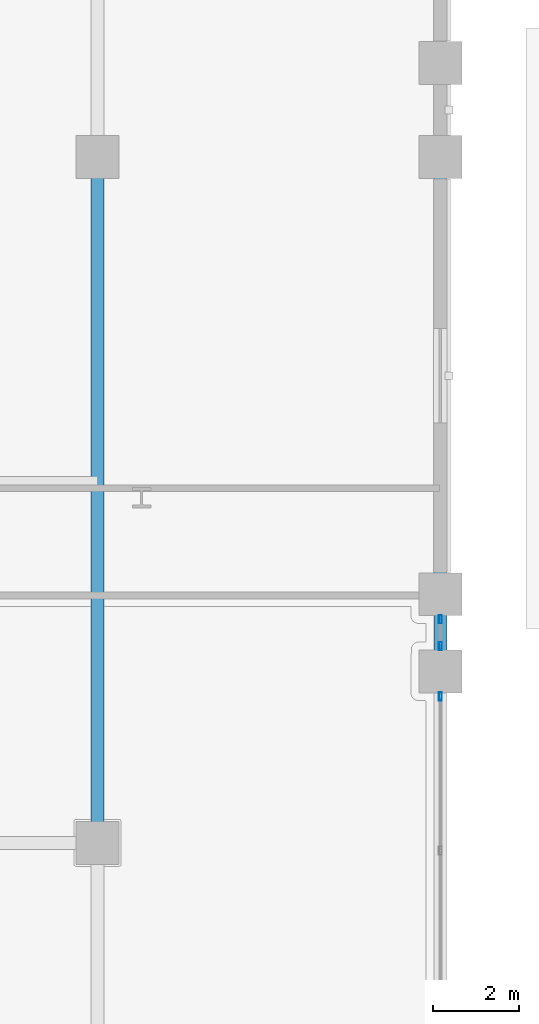
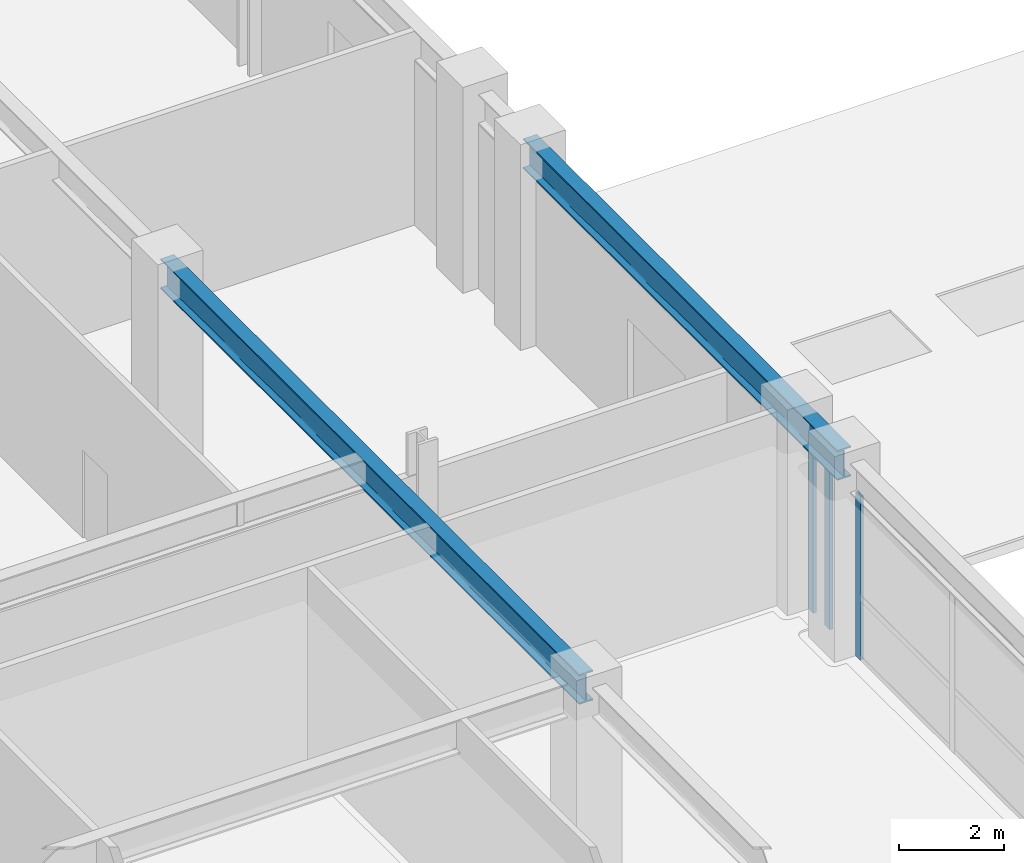
# One storey, part 8 of 34: 3 members, 2 beams, 2 elements without a shape of their own.
"""IFC4 building model written with IfcOpenShell, lengths in metres."""

from ifc_helpers import new_model, si_unit, derived_unit, direction, frame, origin, origin_2d, place, context, subcontext, project, spatial, hollow_rectangle, i_section, extrude, source, transform, mapped, material, layer, layer_set, material_profile, profile_set, type_object, element, aggregate, save


model = new_model("IFC4")

# Units and contexts
model_context = context("Model", 3, precision=1e-05, world=origin(), true_north=direction((0.0, 1.0)))
body_context = subcontext(model_context, "Body", "Model", "MODEL_VIEW")
ifc_project = project(units=[si_unit("LENGTHUNIT", "METRE"), si_unit("AREAUNIT", "SQUARE_METRE"), si_unit("VOLUMEUNIT", "CUBIC_METRE"), si_unit("PLANEANGLEUNIT", "RADIAN"), si_unit("MASSUNIT", "GRAM", prefix="KILO"), derived_unit("THERMALTRANSMITTANCEUNIT", [(si_unit("POWERUNIT", "WATT"), 1), (si_unit("LENGTHUNIT", "METRE"), -2), (si_unit("THERMODYNAMICTEMPERATUREUNIT", "KELVIN"), -1)])], contexts=[model_context])

# Site, building, storey
site_placement = place(None, origin())
site = spatial("IfcSite", under=ifc_project, at=site_placement, CompositionType="ELEMENT")
building_placement = place(site_placement, origin())
building = spatial("IfcBuilding", under=site, at=building_placement, Name="Korsvarv Bourse and Concert Hall", CompositionType="ELEMENT")
storey_placement = place(building_placement, frame((0.0, 0.0, 14.39990234375)))
storey = spatial("IfcBuildingStorey", under=building, at=storey_placement, Name="L03", CompositionType="ELEMENT", Elevation=14.39990234375)

# Beams
ifc_material_1 = material(Name="Steel S355", Category="steel")
ifc_material_profile_1 = material_profile(ifc_material_1, i_section(OverallWidth=0.300048828125, OverallDepth=0.699951171875, WebThickness=0.01708984375, FlangeThickness=0.031982421875, FilletRadius=0.027099609375, at=origin_2d()), Name="HEB 700")
ifc_profile_set_1 = profile_set([ifc_material_profile_1], Name="Steel S355")
beam_type = type_object("IfcBeamType", Name="BM-HEB700", PredefinedType="BEAM", material=ifc_profile_set_1)
shared_shape_1 = source(origin(), body_context, "Body", "SweptSolid", [
    extrude(i_section(OverallWidth=0.300048828125, OverallDepth=0.699951171875, WebThickness=0.01708984375, FlangeThickness=0.031982421875, FilletRadius=0.027099609375, at=origin_2d()), origin(), (0.0, 0.0, 1.0), 12.0),
])
beam_1_placement = place(storey_placement, frame((66.0, 28.0, 4.170166015625), z_axis=(0.0, 1.0, 0.0), x_axis=(-1.0, 0.0, 0.0)))
element("IfcBeam", 1, at=beam_1_placement, inside=storey, type_object=beam_type, Name="L03 beam B-03", PredefinedType="BEAM", context=body_context, shape_type="MappedRepresentation", body=[
    mapped(shared_shape_1, transform((0.0, 0.0, 0.0), scale=1.0)),
])
shared_shape_2 = source(origin(), body_context, "Body", "SweptSolid", [
    extrude(i_section(OverallWidth=0.300048828125, OverallDepth=0.699951171875, WebThickness=0.01708984375, FlangeThickness=0.031982421875, FilletRadius=0.027099609375, at=origin_2d()), origin(), (0.0, 0.0, 1.0), 16.0),
])
beam_2_placement = place(storey_placement, frame((58.0, 24.0, 4.170166015625), z_axis=(0.0, 1.0, 0.0), x_axis=(-1.0, 0.0, 0.0)))
element("IfcBeam", 2, at=beam_2_placement, inside=storey, type_object=beam_type, Name="L03 beam B-03", PredefinedType="BEAM", context=body_context, shape_type="MappedRepresentation", body=[
    mapped(shared_shape_2, transform((0.0, 0.0, 0.0), scale=1.0)),
])

# Curtain wall, member
ifc_material_2 = material(Name="Anodised aluminium and triple low-E glazing", Category="glass")
ifc_layer = layer(ifc_material_2, 0.239990234375)
ifc_layer_set = layer_set([ifc_layer], Name="Anodised aluminium and triple low-E glazing")
curtain_wall_type = type_object("IfcCurtainWallType", Name="CW-SYS-5", PredefinedType="NOTDEFINED", material=ifc_layer_set)
curtain_wall_1_placement = place(storey_placement, origin())
curtain_wall_1 = element("IfcCurtainWall", 3, at=curtain_wall_1_placement, inside=storey, type_object=curtain_wall_type, Name="L03 CW5 curtain wall CW-L03-E2-1", PredefinedType="NOTDEFINED")
ifc_material_3 = material(Name="Extruded aluminium EN AW-6063 T66", Category="aluminium")
ifc_material_profile_2 = material_profile(ifc_material_3, hollow_rectangle(XDim=0.070068359375, YDim=0.18994140625, WallThickness=0.0048828125, at=origin_2d()), Name="ALU-M 70x190")
ifc_profile_set_2 = profile_set([ifc_material_profile_2], Name="Extruded aluminium EN AW-6063 T66")
member_type = type_object("IfcMemberType", Name="CWM-190", PredefinedType="MULLION", material=ifc_profile_set_2)
shared_shape_3 = source(origin(), body_context, "Body", "SweptSolid", [
    extrude(hollow_rectangle(XDim=0.070068359375, YDim=0.18994140625, WallThickness=0.0048828125, at=origin_2d()), origin(), (0.0, 0.0, 1.0), 3.820068359375),
])
member_1_placement = place(storey_placement, frame((66.0, 27.4150390625, 0.0), z_axis=(0.0, 0.0, 1.0), x_axis=(-1.0, 0.0, 0.0)))
member_1 = element("IfcMember", 4, at=member_1_placement, type_object=member_type, Name="CW5 mullion 4", PredefinedType="MULLION", context=body_context, shape_type="MappedRepresentation", body=[
    mapped(shared_shape_3, transform((0.0, 0.0, 0.0), scale=1.0)),
])
aggregate(curtain_wall_1, [member_1])

# Curtain wall, members
curtain_wall_2_placement = place(storey_placement, origin())
curtain_wall_2 = element("IfcCurtainWall", 5, at=curtain_wall_2_placement, inside=storey, type_object=curtain_wall_type, Name="L03 CW5 curtain wall CW-L03-E2-2", PredefinedType="NOTDEFINED")
member_2_placement = place(storey_placement, frame((66.0, 28.5849609375, 0.0), z_axis=(0.0, 0.0, 1.0), x_axis=(-1.0, 0.0, 0.0)))
member_2 = element("IfcMember", 6, at=member_2_placement, type_object=member_type, Name="CW5 mullion 1", PredefinedType="MULLION", context=body_context, shape_type="MappedRepresentation", body=[
    mapped(shared_shape_3, transform((0.0, 0.0, 0.0), scale=1.0)),
])
member_3_placement = place(storey_placement, frame((66.0, 29.215087890625, 0.0), z_axis=(0.0, 0.0, 1.0), x_axis=(-1.0, 0.0, 0.0)))
member_3 = element("IfcMember", 7, at=member_3_placement, type_object=member_type, Name="CW5 mullion 2", PredefinedType="MULLION", context=body_context, shape_type="MappedRepresentation", body=[
    mapped(shared_shape_3, transform((0.0, 0.0, 0.0), scale=1.0)),
])
aggregate(curtain_wall_2, [member_2, member_3])

save(model, "model.ifc")
